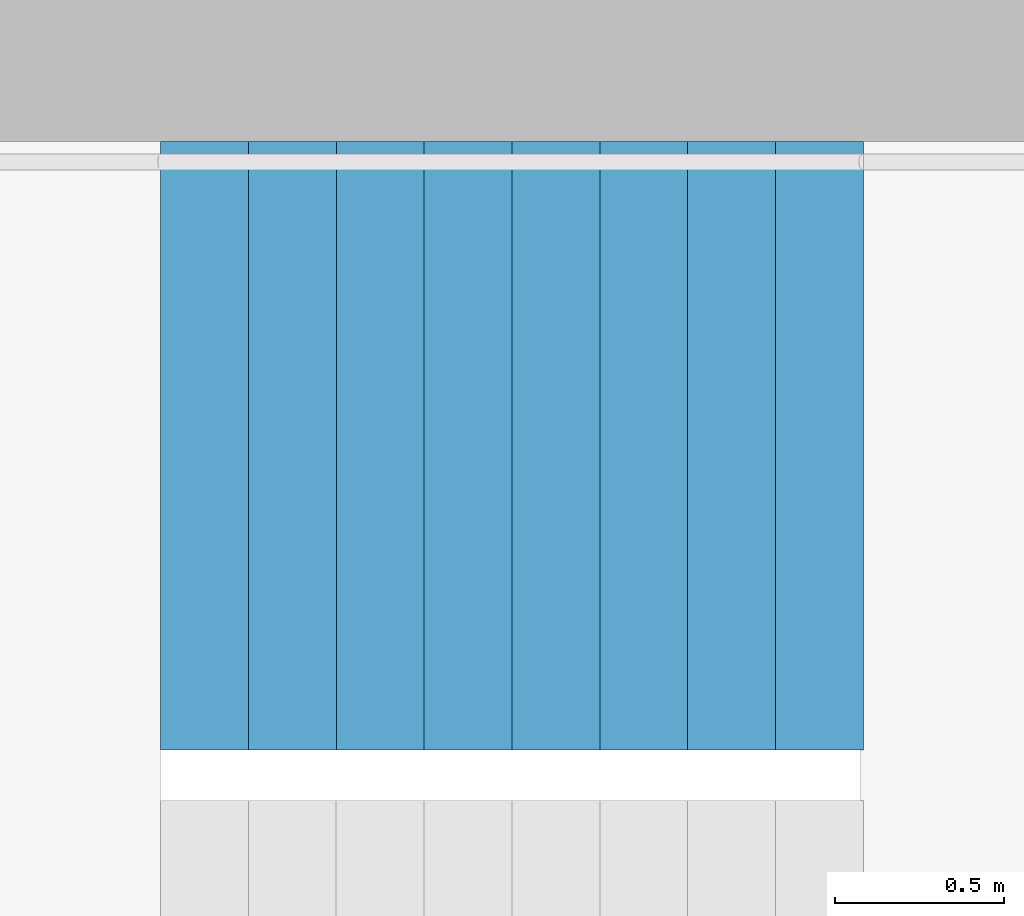
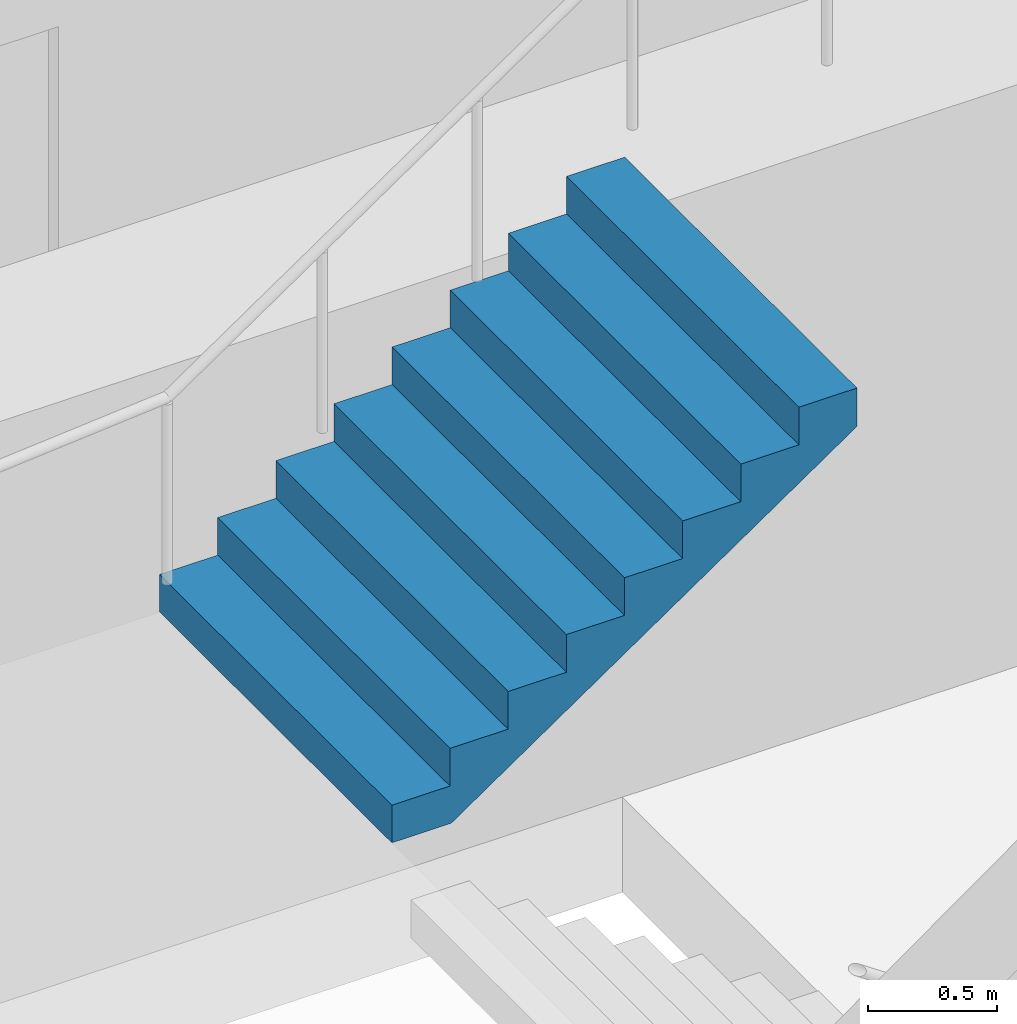
# One storey, part 25 of 26: 1 stair flight, 1 element without a shape of its own.
"""IFC4 building model written with IfcOpenShell, lengths in metres."""

from ifc_helpers import new_model, si_unit, direction, frame, origin, place, context, subcontext, project, spatial, triangles, material, type_object, element, aggregate, save


model = new_model("IFC4")

# Units and contexts
model_context = context("Model", 3, precision=1e-05, world=origin(), true_north=direction((0.0, 1.0)))
body_context = subcontext(model_context, "Body", "Model", "MODEL_VIEW")
ifc_project = project(units=[si_unit("LENGTHUNIT", "METRE"), si_unit("AREAUNIT", "SQUARE_METRE"), si_unit("VOLUMEUNIT", "CUBIC_METRE"), si_unit("PLANEANGLEUNIT", "RADIAN"), si_unit("MASSUNIT", "GRAM", prefix="KILO")], contexts=[model_context])

# Site, building, storey
site_placement = place(None, origin())
site = spatial("IfcSite", under=ifc_project, at=site_placement, CompositionType="ELEMENT")
building_placement = place(site_placement, origin())
building = spatial("IfcBuilding", under=site, at=building_placement, Name="Hakoniwa Tower and Hamabe Station Hall", CompositionType="ELEMENT")
storey_placement = place(building_placement, frame((0.0, 0.0, 199.39990234375)))
storey = spatial("IfcBuildingStorey", under=building, at=storey_placement, Name="L56", CompositionType="ELEMENT", Elevation=199.39990234375)

# Stair, stair flight
ifc_material_1 = material(Name="Concrete C40", Category="concrete")
stair_type = type_object("IfcStairType", Name="ESCAPE STAIR 1800", PredefinedType="HALF_TURN_STAIR", material=ifc_material_1)
stair_placement = place(storey_placement, origin())
stair = element("IfcStair", 1, at=stair_placement, inside=storey, type_object=stair_type, Name="Escape stair ST-3 L56", PredefinedType="HALF_TURN_STAIR")
ifc_material_2 = material(Name="Concrete C40", Category="concrete")
stair_flight_type = type_object("IfcStairFlightType", Name="STAIR FLIGHT 1800", PredefinedType="STRAIGHT", material=ifc_material_2)
stair_flight_placement = place(storey_placement, frame((22.320068359375, 6.60009765625, 1.60009765625), z_axis=(0.0, 0.0, 1.0), x_axis=(1.0, 0.0, 0.0)))
stair_flight = element("IfcStairFlight", 2, at=stair_flight_placement, type_object=stair_flight_type, Name="ST-3 flight 2", NumberOfRisers=9, NumberOfTreads=8, PredefinedType="STRAIGHT", RiserHeight=0.177777778, TreadLength=0.26, context=body_context, shape_type="Tessellation", body=[
    triangles([(0.0, 0.89990234375, 0.0), (0.260009765625, 0.89990234375, 0.0), (0.265625, 0.89990234375, 0.0), (0.52001953125, 0.89990234375, 0.174072265625), (0.780029296875, 0.89990234375, 0.351806640625), (1.0400390625, 0.89990234375, 0.529541015625), (1.300048828125, 0.89990234375, 0.707275390625), (1.56005859375, 0.89990234375, 0.885009765625), (1.820068359375, 0.89990234375, 1.062744140625), (2.080078125, 0.89990234375, 1.24072265625), (2.080078125, 0.89990234375, 1.422119140625), (1.820068359375, 0.89990234375, 1.422119140625), (1.820068359375, 0.89990234375, 1.244384765625), (1.56005859375, 0.89990234375, 1.244384765625), (1.56005859375, 0.89990234375, 1.066650390625), (1.300048828125, 0.89990234375, 1.066650390625), (1.300048828125, 0.89990234375, 0.888916015625), (1.0400390625, 0.89990234375, 0.888916015625), (1.0400390625, 0.89990234375, 0.711181640625), (0.780029296875, 0.89990234375, 0.711181640625), (0.780029296875, 0.89990234375, 0.533447265625), (0.52001953125, 0.89990234375, 0.533447265625), (0.52001953125, 0.89990234375, 0.35546875), (0.265625, 0.89990234375, 0.35546875), (0.260009765625, 0.89990234375, 0.35546875), (0.260009765625, 0.89990234375, 0.177734375), (0.0, 0.89990234375, 0.177734375), (0.0, 0.06005859375, 0.0), (0.260009765625, 0.06005859375, 0.0), (0.265625, 0.06005859375, 0.0), (0.52001953125, 0.06005859375, 0.174072265625), (0.780029296875, 0.06005859375, 0.351806640625), (1.0400390625, 0.06005859375, 0.529541015625), (1.300048828125, 0.06005859375, 0.707275390625), (1.56005859375, 0.06005859375, 0.885009765625), (1.820068359375, 0.06005859375, 1.062744140625), (2.080078125, 0.06005859375, 1.24072265625), (2.080078125, 0.06005859375, 1.422119140625), (1.820068359375, 0.06005859375, 1.422119140625), (1.820068359375, 0.06005859375, 1.244384765625), (1.56005859375, 0.06005859375, 1.244384765625), (1.56005859375, 0.06005859375, 1.066650390625), (1.300048828125, 0.06005859375, 1.066650390625), (1.300048828125, 0.06005859375, 0.888916015625), (1.0400390625, 0.06005859375, 0.888916015625), (1.0400390625, 0.06005859375, 0.711181640625), (0.780029296875, 0.06005859375, 0.711181640625), (0.780029296875, 0.06005859375, 0.533447265625), (0.52001953125, 0.06005859375, 0.533447265625), (0.52001953125, 0.06005859375, 0.35546875), (0.265625, 0.06005859375, 0.35546875), (0.260009765625, 0.06005859375, 0.35546875), (0.260009765625, 0.06005859375, 0.177734375), (0.0, 0.06005859375, 0.177734375), (0.0, 0.04296875, 0.0), (0.260009765625, 0.04296875, 0.0), (0.265625, 0.04296875, 0.0), (0.52001953125, 0.04296875, 0.174072265625), (0.780029296875, 0.04296875, 0.351806640625), (1.0400390625, 0.04296875, 0.529541015625), (1.300048828125, 0.04296875, 0.707275390625), (1.56005859375, 0.04296875, 0.885009765625), (1.820068359375, 0.04296875, 1.062744140625), (2.080078125, 0.04296875, 1.24072265625), (2.080078125, 0.04296875, 1.422119140625), (1.820068359375, 0.04296875, 1.422119140625), (1.820068359375, 0.04296875, 1.244384765625), (1.56005859375, 0.04296875, 1.244384765625), (1.56005859375, 0.04296875, 1.066650390625), (1.300048828125, 0.04296875, 1.066650390625), (1.300048828125, 0.04296875, 0.888916015625), (1.0400390625, 0.04296875, 0.888916015625), (1.0400390625, 0.04296875, 0.711181640625), (0.780029296875, 0.04296875, 0.711181640625), (0.780029296875, 0.04296875, 0.533447265625), (0.52001953125, 0.04296875, 0.533447265625), (0.52001953125, 0.04296875, 0.35546875), (0.265625, 0.04296875, 0.35546875), (0.260009765625, 0.04296875, 0.35546875), (0.260009765625, 0.04296875, 0.177734375), (0.0, 0.04296875, 0.177734375), (0.0, 0.025634765625, 0.0), (0.260009765625, 0.025634765625, 0.0), (0.265625, 0.025634765625, 0.0), (0.52001953125, 0.025634765625, 0.174072265625), (0.780029296875, 0.025634765625, 0.351806640625), (1.0400390625, 0.025634765625, 0.529541015625), (1.300048828125, 0.025634765625, 0.707275390625), (1.56005859375, 0.025634765625, 0.885009765625), (1.820068359375, 0.025634765625, 1.062744140625), (2.080078125, 0.025634765625, 1.24072265625), (2.080078125, 0.025634765625, 1.422119140625), (1.820068359375, 0.025634765625, 1.422119140625), (1.820068359375, 0.025634765625, 1.244384765625), (1.56005859375, 0.025634765625, 1.244384765625), (1.56005859375, 0.025634765625, 1.066650390625), (1.300048828125, 0.025634765625, 1.066650390625), (1.300048828125, 0.025634765625, 0.888916015625), (1.0400390625, 0.025634765625, 0.888916015625), (1.0400390625, 0.025634765625, 0.711181640625), (0.780029296875, 0.025634765625, 0.711181640625), (0.780029296875, 0.025634765625, 0.533447265625), (0.52001953125, 0.025634765625, 0.533447265625), (0.52001953125, 0.025634765625, 0.35546875), (0.265625, 0.025634765625, 0.35546875), (0.260009765625, 0.025634765625, 0.35546875), (0.260009765625, 0.025634765625, 0.177734375), (0.0, 0.025634765625, 0.177734375), (0.0, 0.008544921875, 0.0), (0.260009765625, 0.008544921875, 0.0), (0.265625, 0.008544921875, 0.0), (0.52001953125, 0.008544921875, 0.174072265625), (0.780029296875, 0.008544921875, 0.351806640625), (1.0400390625, 0.008544921875, 0.529541015625), (1.300048828125, 0.008544921875, 0.707275390625), (1.56005859375, 0.008544921875, 0.885009765625), (1.820068359375, 0.008544921875, 1.062744140625), (2.080078125, 0.008544921875, 1.24072265625), (2.080078125, 0.008544921875, 1.422119140625), (1.820068359375, 0.008544921875, 1.422119140625), (1.820068359375, 0.008544921875, 1.244384765625), (1.56005859375, 0.008544921875, 1.244384765625), (1.56005859375, 0.008544921875, 1.066650390625), (1.300048828125, 0.008544921875, 1.066650390625), (1.300048828125, 0.008544921875, 0.888916015625), (1.0400390625, 0.008544921875, 0.888916015625), (1.0400390625, 0.008544921875, 0.711181640625), (0.780029296875, 0.008544921875, 0.711181640625), (0.780029296875, 0.008544921875, 0.533447265625), (0.52001953125, 0.008544921875, 0.533447265625), (0.52001953125, 0.008544921875, 0.35546875), (0.265625, 0.008544921875, 0.35546875), (0.260009765625, 0.008544921875, 0.35546875), (0.260009765625, 0.008544921875, 0.177734375), (0.0, 0.008544921875, 0.177734375), (0.0, -0.008544921875, 0.0), (0.260009765625, -0.008544921875, 0.0), (0.265625, -0.008544921875, 0.0), (0.52001953125, -0.008544921875, 0.174072265625), (0.780029296875, -0.008544921875, 0.351806640625), (1.0400390625, -0.008544921875, 0.529541015625), (1.300048828125, -0.008544921875, 0.707275390625), (1.56005859375, -0.008544921875, 0.885009765625), (1.820068359375, -0.008544921875, 1.062744140625), (2.080078125, -0.008544921875, 1.24072265625), (2.080078125, -0.008544921875, 1.422119140625), (1.820068359375, -0.008544921875, 1.422119140625), (1.820068359375, -0.008544921875, 1.244384765625), (1.56005859375, -0.008544921875, 1.244384765625), (1.56005859375, -0.008544921875, 1.066650390625), (1.300048828125, -0.008544921875, 1.066650390625), (1.300048828125, -0.008544921875, 0.888916015625), (1.0400390625, -0.008544921875, 0.888916015625), (1.0400390625, -0.008544921875, 0.711181640625), (0.780029296875, -0.008544921875, 0.711181640625), (0.780029296875, -0.008544921875, 0.533447265625), (0.52001953125, -0.008544921875, 0.533447265625), (0.52001953125, -0.008544921875, 0.35546875), (0.265625, -0.008544921875, 0.35546875), (0.260009765625, -0.008544921875, 0.35546875), (0.260009765625, -0.008544921875, 0.177734375), (0.0, -0.008544921875, 0.177734375), (0.0, -0.025634765625, 0.0), (0.260009765625, -0.025634765625, 0.0), (0.265625, -0.025634765625, 0.0), (0.52001953125, -0.025634765625, 0.174072265625), (0.780029296875, -0.025634765625, 0.351806640625), (1.0400390625, -0.025634765625, 0.529541015625), (1.300048828125, -0.025634765625, 0.707275390625), (1.56005859375, -0.025634765625, 0.885009765625), (1.820068359375, -0.025634765625, 1.062744140625), (2.080078125, -0.025634765625, 1.24072265625), (2.080078125, -0.025634765625, 1.422119140625), (1.820068359375, -0.025634765625, 1.422119140625), (1.820068359375, -0.025634765625, 1.244384765625), (1.56005859375, -0.025634765625, 1.244384765625), (1.56005859375, -0.025634765625, 1.066650390625), (1.300048828125, -0.025634765625, 1.066650390625), (1.300048828125, -0.025634765625, 0.888916015625), (1.0400390625, -0.025634765625, 0.888916015625), (1.0400390625, -0.025634765625, 0.711181640625), (0.780029296875, -0.025634765625, 0.711181640625), (0.780029296875, -0.025634765625, 0.533447265625), (0.52001953125, -0.025634765625, 0.533447265625), (0.52001953125, -0.025634765625, 0.35546875), (0.265625, -0.025634765625, 0.35546875), (0.260009765625, -0.025634765625, 0.35546875), (0.260009765625, -0.025634765625, 0.177734375), (0.0, -0.025634765625, 0.177734375), (0.0, -0.04296875, 0.0), (0.260009765625, -0.04296875, 0.0), (0.265625, -0.04296875, 0.0), (0.52001953125, -0.04296875, 0.174072265625), (0.780029296875, -0.04296875, 0.351806640625), (1.0400390625, -0.04296875, 0.529541015625), (1.300048828125, -0.04296875, 0.707275390625), (1.56005859375, -0.04296875, 0.885009765625), (1.820068359375, -0.04296875, 1.062744140625), (2.080078125, -0.04296875, 1.24072265625), (2.080078125, -0.04296875, 1.422119140625), (1.820068359375, -0.04296875, 1.422119140625), (1.820068359375, -0.04296875, 1.244384765625), (1.56005859375, -0.04296875, 1.244384765625), (1.56005859375, -0.04296875, 1.066650390625), (1.300048828125, -0.04296875, 1.066650390625), (1.300048828125, -0.04296875, 0.888916015625), (1.0400390625, -0.04296875, 0.888916015625), (1.0400390625, -0.04296875, 0.711181640625), (0.780029296875, -0.04296875, 0.711181640625), (0.780029296875, -0.04296875, 0.533447265625), (0.52001953125, -0.04296875, 0.533447265625), (0.52001953125, -0.04296875, 0.35546875), (0.265625, -0.04296875, 0.35546875), (0.260009765625, -0.04296875, 0.35546875), (0.260009765625, -0.04296875, 0.177734375), (0.0, -0.04296875, 0.177734375), (0.0, -0.06005859375, 0.0), (0.260009765625, -0.06005859375, 0.0), (0.265625, -0.06005859375, 0.0), (0.52001953125, -0.06005859375, 0.174072265625), (0.780029296875, -0.06005859375, 0.351806640625), (1.0400390625, -0.06005859375, 0.529541015625), (1.300048828125, -0.06005859375, 0.707275390625), (1.56005859375, -0.06005859375, 0.885009765625), (1.820068359375, -0.06005859375, 1.062744140625), (2.080078125, -0.06005859375, 1.24072265625), (2.080078125, -0.06005859375, 1.422119140625), (1.820068359375, -0.06005859375, 1.422119140625), (1.820068359375, -0.06005859375, 1.244384765625), (1.56005859375, -0.06005859375, 1.244384765625), (1.56005859375, -0.06005859375, 1.066650390625), (1.300048828125, -0.06005859375, 1.066650390625), (1.300048828125, -0.06005859375, 0.888916015625), (1.0400390625, -0.06005859375, 0.888916015625), (1.0400390625, -0.06005859375, 0.711181640625), (0.780029296875, -0.06005859375, 0.711181640625), (0.780029296875, -0.06005859375, 0.533447265625), (0.52001953125, -0.06005859375, 0.533447265625), (0.52001953125, -0.06005859375, 0.35546875), (0.265625, -0.06005859375, 0.35546875), (0.260009765625, -0.06005859375, 0.35546875), (0.260009765625, -0.06005859375, 0.177734375), (0.0, -0.06005859375, 0.177734375), (0.0, -0.89990234375, 0.0), (0.260009765625, -0.89990234375, 0.0), (0.265625, -0.89990234375, 0.0), (0.52001953125, -0.89990234375, 0.174072265625), (0.780029296875, -0.89990234375, 0.351806640625), (1.0400390625, -0.89990234375, 0.529541015625), (1.300048828125, -0.89990234375, 0.707275390625), (1.56005859375, -0.89990234375, 0.885009765625), (1.820068359375, -0.89990234375, 1.062744140625), (2.080078125, -0.89990234375, 1.24072265625), (2.080078125, -0.89990234375, 1.422119140625), (1.820068359375, -0.89990234375, 1.422119140625), (1.820068359375, -0.89990234375, 1.244384765625), (1.56005859375, -0.89990234375, 1.244384765625), (1.56005859375, -0.89990234375, 1.066650390625), (1.300048828125, -0.89990234375, 1.066650390625), (1.300048828125, -0.89990234375, 0.888916015625), (1.0400390625, -0.89990234375, 0.888916015625), (1.0400390625, -0.89990234375, 0.711181640625), (0.780029296875, -0.89990234375, 0.711181640625), (0.780029296875, -0.89990234375, 0.533447265625), (0.52001953125, -0.89990234375, 0.533447265625), (0.52001953125, -0.89990234375, 0.35546875), (0.265625, -0.89990234375, 0.35546875), (0.260009765625, -0.89990234375, 0.35546875), (0.260009765625, -0.89990234375, 0.177734375), (0.0, -0.89990234375, 0.177734375)], [[2, 27, 26], [245, 269, 270], [2, 1, 27], [245, 270, 244], [3, 25, 24], [246, 267, 268], [3, 26, 25], [246, 268, 269], [3, 2, 26], [246, 269, 245], [4, 24, 23], [247, 266, 267], [4, 3, 24], [247, 267, 246], [5, 22, 21], [248, 264, 265], [5, 23, 22], [248, 265, 266], [5, 4, 23], [248, 266, 247], [6, 20, 19], [249, 262, 263], [6, 21, 20], [249, 263, 264], [6, 5, 21], [249, 264, 248], [7, 18, 17], [250, 260, 261], [7, 19, 18], [250, 261, 262], [7, 6, 19], [250, 262, 249], [8, 16, 15], [251, 258, 259], [8, 17, 16], [251, 259, 260], [8, 7, 17], [251, 260, 250], [9, 14, 13], [252, 256, 257], [9, 15, 14], [252, 257, 258], [9, 8, 15], [252, 258, 251], [10, 12, 11], [253, 254, 255], [10, 13, 12], [253, 255, 256], [10, 9, 13], [253, 256, 252], [1, 2, 29], [1, 29, 28], [28, 29, 56], [28, 56, 55], [55, 56, 83], [55, 83, 82], [82, 83, 110], [82, 110, 109], [109, 110, 137], [109, 137, 136], [136, 137, 164], [136, 164, 163], [163, 164, 191], [163, 191, 190], [190, 191, 218], [190, 218, 217], [217, 218, 245], [217, 245, 244], [2, 3, 30], [2, 30, 29], [29, 30, 57], [29, 57, 56], [56, 57, 84], [56, 84, 83], [83, 84, 111], [83, 111, 110], [110, 111, 138], [110, 138, 137], [137, 138, 165], [137, 165, 164], [164, 165, 192], [164, 192, 191], [191, 192, 219], [191, 219, 218], [218, 219, 246], [218, 246, 245], [3, 4, 31], [3, 31, 30], [30, 31, 58], [30, 58, 57], [57, 58, 85], [57, 85, 84], [84, 85, 112], [84, 112, 111], [111, 112, 139], [111, 139, 138], [138, 139, 166], [138, 166, 165], [165, 166, 193], [165, 193, 192], [192, 193, 220], [192, 220, 219], [219, 220, 247], [219, 247, 246], [4, 5, 32], [4, 32, 31], [31, 32, 59], [31, 59, 58], [58, 59, 86], [58, 86, 85], [85, 86, 113], [85, 113, 112], [112, 113, 140], [112, 140, 139], [139, 140, 167], [139, 167, 166], [166, 167, 194], [166, 194, 193], [193, 194, 221], [193, 221, 220], [220, 221, 248], [220, 248, 247], [5, 6, 33], [5, 33, 32], [32, 33, 60], [32, 60, 59], [59, 60, 87], [59, 87, 86], [86, 87, 114], [86, 114, 113], [113, 114, 141], [113, 141, 140], [140, 141, 168], [140, 168, 167], [167, 168, 195], [167, 195, 194], [194, 195, 222], [194, 222, 221], [221, 222, 249], [221, 249, 248], [6, 7, 34], [6, 34, 33], [33, 34, 61], [33, 61, 60], [60, 61, 88], [60, 88, 87], [87, 88, 115], [87, 115, 114], [114, 115, 142], [114, 142, 141], [141, 142, 169], [141, 169, 168], [168, 169, 196], [168, 196, 195], [195, 196, 223], [195, 223, 222], [222, 223, 250], [222, 250, 249], [7, 8, 35], [7, 35, 34], [34, 35, 62], [34, 62, 61], [61, 62, 89], [61, 89, 88], [88, 89, 116], [88, 116, 115], [115, 116, 143], [115, 143, 142], [142, 143, 170], [142, 170, 169], [169, 170, 197], [169, 197, 196], [196, 197, 224], [196, 224, 223], [223, 224, 251], [223, 251, 250], [8, 9, 36], [8, 36, 35], [35, 36, 63], [35, 63, 62], [62, 63, 90], [62, 90, 89], [89, 90, 117], [89, 117, 116], [116, 117, 144], [116, 144, 143], [143, 144, 171], [143, 171, 170], [170, 171, 198], [170, 198, 197], [197, 198, 225], [197, 225, 224], [224, 225, 252], [224, 252, 251], [9, 10, 37], [9, 37, 36], [36, 37, 64], [36, 64, 63], [63, 64, 91], [63, 91, 90], [90, 91, 118], [90, 118, 117], [117, 118, 145], [117, 145, 144], [144, 145, 172], [144, 172, 171], [171, 172, 199], [171, 199, 198], [198, 199, 226], [198, 226, 225], [225, 226, 253], [225, 253, 252], [10, 11, 38], [10, 38, 37], [37, 38, 65], [37, 65, 64], [64, 65, 92], [64, 92, 91], [91, 92, 119], [91, 119, 118], [118, 119, 146], [118, 146, 145], [145, 146, 173], [145, 173, 172], [172, 173, 200], [172, 200, 199], [199, 200, 227], [199, 227, 226], [226, 227, 254], [226, 254, 253], [11, 12, 39], [11, 39, 38], [38, 39, 66], [38, 66, 65], [65, 66, 93], [65, 93, 92], [92, 93, 120], [92, 120, 119], [119, 120, 147], [119, 147, 146], [146, 147, 174], [146, 174, 173], [173, 174, 201], [173, 201, 200], [200, 201, 228], [200, 228, 227], [227, 228, 255], [227, 255, 254], [12, 13, 40], [12, 40, 39], [39, 40, 67], [39, 67, 66], [66, 67, 94], [66, 94, 93], [93, 94, 121], [93, 121, 120], [120, 121, 148], [120, 148, 147], [147, 148, 175], [147, 175, 174], [174, 175, 202], [174, 202, 201], [201, 202, 229], [201, 229, 228], [228, 229, 256], [228, 256, 255], [13, 14, 41], [13, 41, 40], [40, 41, 68], [40, 68, 67], [67, 68, 95], [67, 95, 94], [94, 95, 122], [94, 122, 121], [121, 122, 149], [121, 149, 148], [148, 149, 176], [148, 176, 175], [175, 176, 203], [175, 203, 202], [202, 203, 230], [202, 230, 229], [229, 230, 257], [229, 257, 256], [14, 15, 42], [14, 42, 41], [41, 42, 69], [41, 69, 68], [68, 69, 96], [68, 96, 95], [95, 96, 123], [95, 123, 122], [122, 123, 150], [122, 150, 149], [149, 150, 177], [149, 177, 176], [176, 177, 204], [176, 204, 203], [203, 204, 231], [203, 231, 230], [230, 231, 258], [230, 258, 257], [15, 16, 43], [15, 43, 42], [42, 43, 70], [42, 70, 69], [69, 70, 97], [69, 97, 96], [96, 97, 124], [96, 124, 123], [123, 124, 151], [123, 151, 150], [150, 151, 178], [150, 178, 177], [177, 178, 205], [177, 205, 204], [204, 205, 232], [204, 232, 231], [231, 232, 259], [231, 259, 258], [16, 17, 44], [16, 44, 43], [43, 44, 71], [43, 71, 70], [70, 71, 98], [70, 98, 97], [97, 98, 125], [97, 125, 124], [124, 125, 152], [124, 152, 151], [151, 152, 179], [151, 179, 178], [178, 179, 206], [178, 206, 205], [205, 206, 233], [205, 233, 232], [232, 233, 260], [232, 260, 259], [17, 18, 45], [17, 45, 44], [44, 45, 72], [44, 72, 71], [71, 72, 99], [71, 99, 98], [98, 99, 126], [98, 126, 125], [125, 126, 153], [125, 153, 152], [152, 153, 180], [152, 180, 179], [179, 180, 207], [179, 207, 206], [206, 207, 234], [206, 234, 233], [233, 234, 261], [233, 261, 260], [18, 19, 46], [18, 46, 45], [45, 46, 73], [45, 73, 72], [72, 73, 100], [72, 100, 99], [99, 100, 127], [99, 127, 126], [126, 127, 154], [126, 154, 153], [153, 154, 181], [153, 181, 180], [180, 181, 208], [180, 208, 207], [207, 208, 235], [207, 235, 234], [234, 235, 262], [234, 262, 261], [19, 20, 47], [19, 47, 46], [46, 47, 74], [46, 74, 73], [73, 74, 101], [73, 101, 100], [100, 101, 128], [100, 128, 127], [127, 128, 155], [127, 155, 154], [154, 155, 182], [154, 182, 181], [181, 182, 209], [181, 209, 208], [208, 209, 236], [208, 236, 235], [235, 236, 263], [235, 263, 262], [20, 21, 48], [20, 48, 47], [47, 48, 75], [47, 75, 74], [74, 75, 102], [74, 102, 101], [101, 102, 129], [101, 129, 128], [128, 129, 156], [128, 156, 155], [155, 156, 183], [155, 183, 182], [182, 183, 210], [182, 210, 209], [209, 210, 237], [209, 237, 236], [236, 237, 264], [236, 264, 263], [21, 22, 49], [21, 49, 48], [48, 49, 76], [48, 76, 75], [75, 76, 103], [75, 103, 102], [102, 103, 130], [102, 130, 129], [129, 130, 157], [129, 157, 156], [156, 157, 184], [156, 184, 183], [183, 184, 211], [183, 211, 210], [210, 211, 238], [210, 238, 237], [237, 238, 265], [237, 265, 264], [22, 23, 50], [22, 50, 49], [49, 50, 77], [49, 77, 76], [76, 77, 104], [76, 104, 103], [103, 104, 131], [103, 131, 130], [130, 131, 158], [130, 158, 157], [157, 158, 185], [157, 185, 184], [184, 185, 212], [184, 212, 211], [211, 212, 239], [211, 239, 238], [238, 239, 266], [238, 266, 265], [23, 24, 51], [23, 51, 50], [50, 51, 78], [50, 78, 77], [77, 78, 105], [77, 105, 104], [104, 105, 132], [104, 132, 131], [131, 132, 159], [131, 159, 158], [158, 159, 186], [158, 186, 185], [185, 186, 213], [185, 213, 212], [212, 213, 240], [212, 240, 239], [239, 240, 267], [239, 267, 266], [24, 25, 52], [24, 52, 51], [51, 52, 79], [51, 79, 78], [78, 79, 106], [78, 106, 105], [105, 106, 133], [105, 133, 132], [132, 133, 160], [132, 160, 159], [159, 160, 187], [159, 187, 186], [186, 187, 214], [186, 214, 213], [213, 214, 241], [213, 241, 240], [240, 241, 268], [240, 268, 267], [25, 26, 53], [25, 53, 52], [52, 53, 80], [52, 80, 79], [79, 80, 107], [79, 107, 106], [106, 107, 134], [106, 134, 133], [133, 134, 161], [133, 161, 160], [160, 161, 188], [160, 188, 187], [187, 188, 215], [187, 215, 214], [214, 215, 242], [214, 242, 241], [241, 242, 269], [241, 269, 268], [26, 27, 54], [26, 54, 53], [53, 54, 81], [53, 81, 80], [80, 81, 108], [80, 108, 107], [107, 108, 135], [107, 135, 134], [134, 135, 162], [134, 162, 161], [161, 162, 189], [161, 189, 188], [188, 189, 216], [188, 216, 215], [215, 216, 243], [215, 243, 242], [242, 243, 270], [242, 270, 269], [27, 1, 28], [27, 28, 54], [54, 28, 55], [54, 55, 81], [81, 55, 82], [81, 82, 108], [108, 82, 109], [108, 109, 135], [135, 109, 136], [135, 136, 162], [162, 136, 163], [162, 163, 189], [189, 163, 190], [189, 190, 216], [216, 190, 217], [216, 217, 243], [243, 217, 244], [243, 244, 270]], closed=True),
])
aggregate(stair, [stair_flight])

save(model, "model.ifc")
